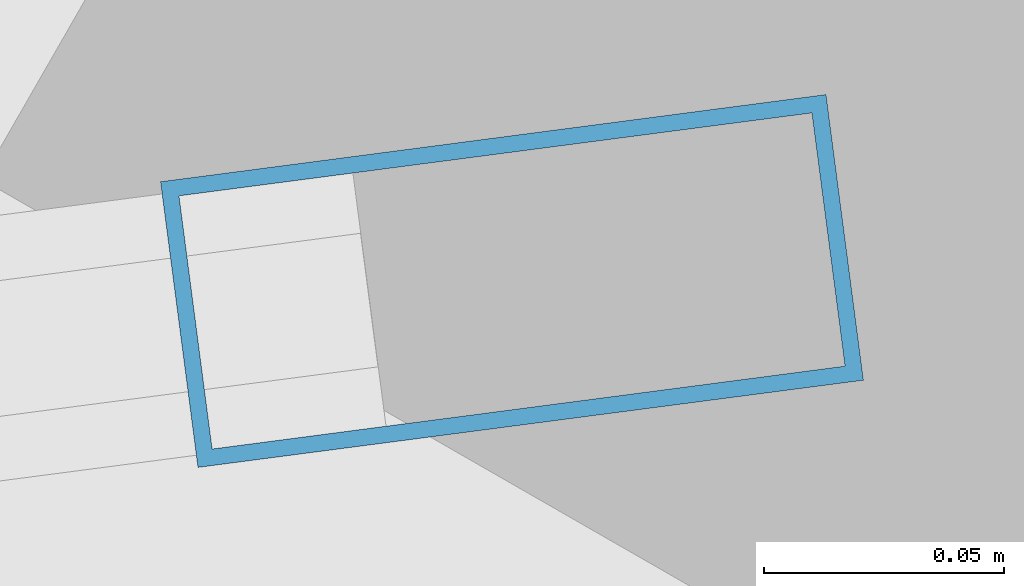
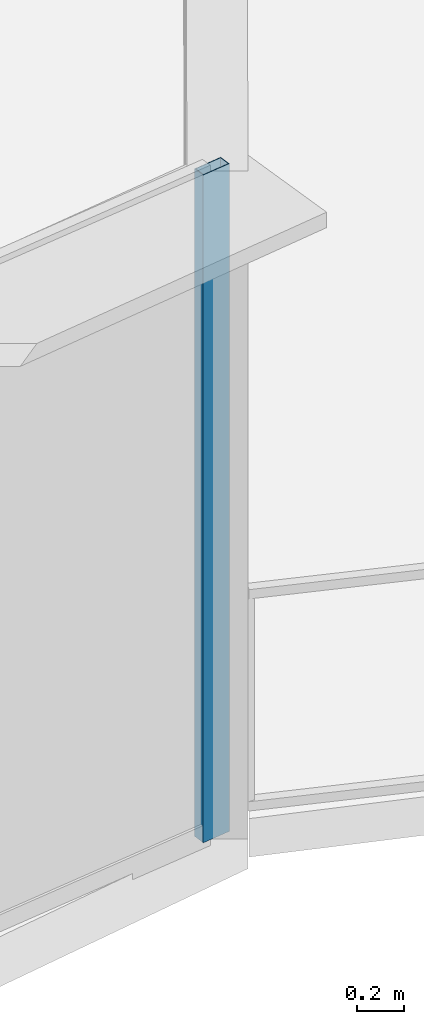
# One storey, part 12 of 33: 1 member, 1 element without a shape of its own.
"""IFC4 building model written with IfcOpenShell, lengths in metres."""

from ifc_helpers import new_model, si_unit, direction, frame, origin, origin_2d, place, context, subcontext, project, spatial, hollow_rectangle, extrude, source, transform, mapped, material, layer, layer_set, material_profile, profile_set, type_object, element, aggregate, save


model = new_model("IFC4")

# Units and contexts
model_context = context("Model", 3, precision=1e-05, world=origin(), true_north=direction((0.0, 1.0)))
body_context = subcontext(model_context, "Body", "Model", "MODEL_VIEW")
ifc_project = project(units=[si_unit("LENGTHUNIT", "METRE"), si_unit("AREAUNIT", "SQUARE_METRE"), si_unit("VOLUMEUNIT", "CUBIC_METRE"), si_unit("PLANEANGLEUNIT", "RADIAN"), si_unit("MASSUNIT", "GRAM", prefix="KILO"), si_unit("THERMODYNAMICTEMPERATUREUNIT", "KELVIN"), si_unit("POWERUNIT", "WATT")], contexts=[model_context])

# Site, building, storey
site_placement = place(None, origin())
site = spatial("IfcSite", under=ifc_project, at=site_placement, CompositionType="ELEMENT")
building_placement = place(site_placement, origin())
building = spatial("IfcBuilding", under=site, at=building_placement, Name="Yunzhuo Pagoda Commons", CompositionType="ELEMENT")
storey_placement = place(building_placement, frame((0.0, 0.0, 307.39990234375)))
storey = spatial("IfcBuildingStorey", under=building, at=storey_placement, Name="L77", CompositionType="ELEMENT", Elevation=307.39990234375)

# Curtain wall, member
ifc_material = material(Name="Anodized aluminium 6063-T6", Category="aluminium")
ifc_layer = layer(ifc_material, 0.139892578125)
ifc_layer_set = layer_set([ifc_layer], Name="Anodized aluminium 6063-T6")
curtain_wall_type = type_object("IfcCurtainWallType", Name="CW-HI High-Zone Ribbon Curtain Wall", PredefinedType="NOTDEFINED", material=ifc_layer_set)
curtain_wall_placement = place(storey_placement, origin())
curtain_wall = element("IfcCurtainWall", 1, at=curtain_wall_placement, inside=storey, type_object=curtain_wall_type, Name="L77 curtain wall CW-L77-F1B5", PredefinedType="NOTDEFINED")
ifc_material_profile = material_profile(ifc_material, hollow_rectangle(XDim=0.06005859375, YDim=0.139892578125, WallThickness=0.00341796875, at=origin_2d()), Name="Anodized aluminium 6063-T6")
ifc_profile_set = profile_set([ifc_material_profile], Name="Anodized aluminium 6063-T6")
member_type = type_object("IfcMemberType", Name="CW-HI-M Mullion RHS 140x60x3.5", PredefinedType="MULLION", material=ifc_profile_set)
shared_shape = source(origin(), body_context, "Body", "SweptSolid", [
    extrude(hollow_rectangle(XDim=0.06005859375, YDim=0.139892578125, WallThickness=0.00341796875, at=origin_2d()), origin(), (0.0, 0.0, 1.0), 3.47021484375),
])
member_placement = place(storey_placement, frame((75.337158203125, 22.013916015625, 0.0), z_axis=(0.0, 0.0, 1.0), x_axis=(-0.129855071238, 0.991532985066, 0.0)))
member = element("IfcMember", 2, at=member_placement, type_object=member_type, Name="CW mullion 2", PredefinedType="MULLION", context=body_context, shape_type="MappedRepresentation", body=[
    mapped(shared_shape, transform((0.0, 0.0, 0.0), scale=1.0)),
])
aggregate(curtain_wall, [member])

save(model, "model.ifc")
